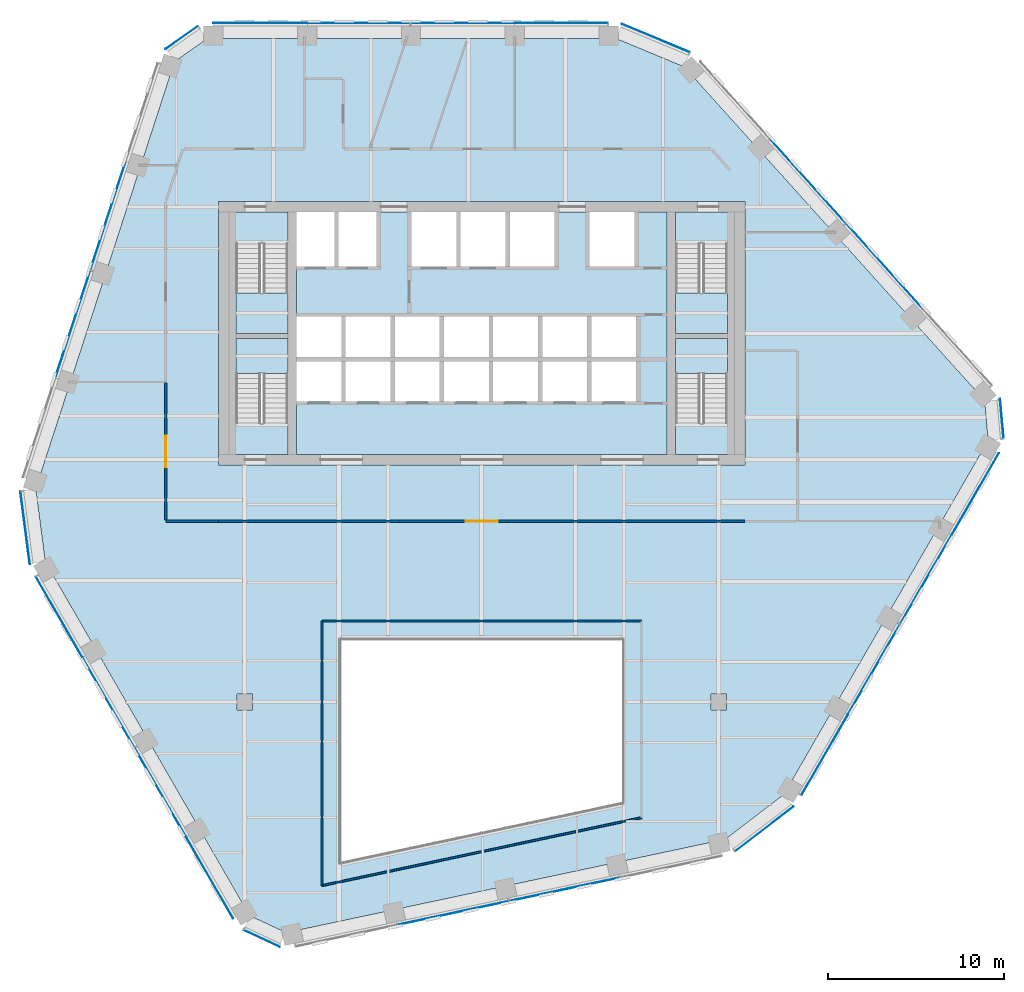
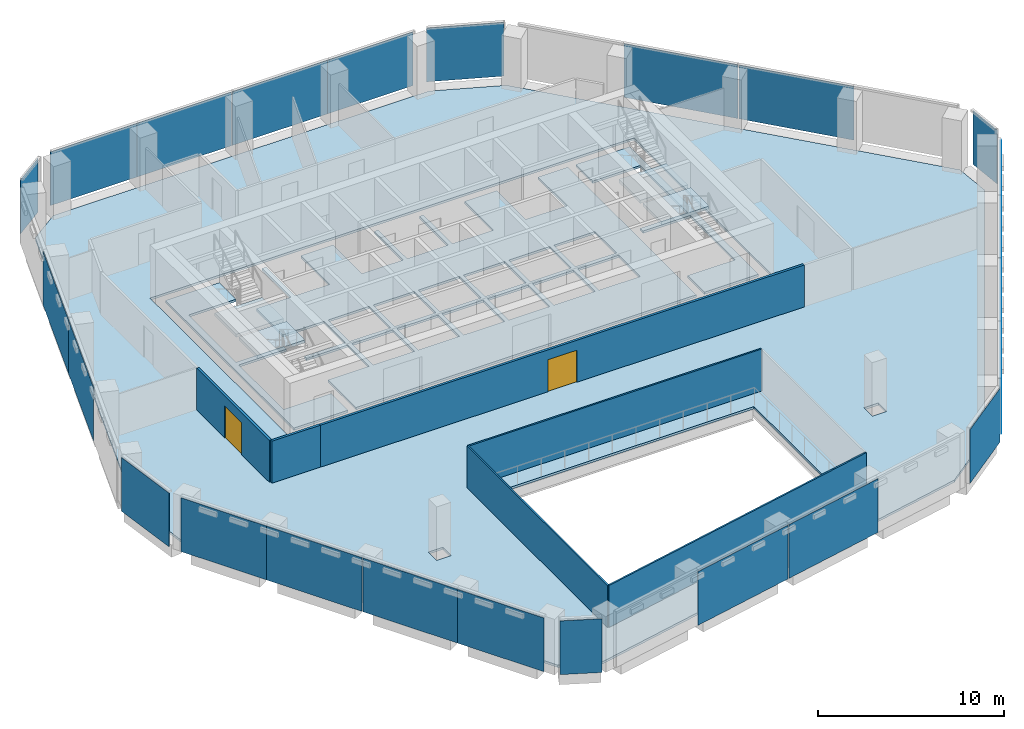
# One storey, part 8 of 16: 24 plates, 8 slabs, 6 walls, 2 doors, 2 openings, 16 elements without a shape of their own.
"""IFC4 building model written with IfcOpenShell, lengths in metres."""

from ifc_helpers import new_model, si_unit, direction, frame, frame_2d, origin, origin_2d, place, context, subcontext, project, spatial, polyline, rectangle, outline, extrude, material, layer, layer_set, type_object, element, fill, aggregate, save


model = new_model("IFC4")

# Units and contexts
model_context = context("Model", 3, precision=1e-05, world=origin(), true_north=direction((0.0, 1.0)))
body_context = subcontext(model_context, "Body", "Model", "MODEL_VIEW")
ifc_project = project(units=[si_unit("LENGTHUNIT", "METRE"), si_unit("AREAUNIT", "SQUARE_METRE"), si_unit("VOLUMEUNIT", "CUBIC_METRE"), si_unit("PLANEANGLEUNIT", "RADIAN"), si_unit("MASSUNIT", "GRAM", prefix="KILO")], contexts=[model_context])

# Site, building, storey
site_placement = place(None, origin())
site = spatial("IfcSite", under=ifc_project, at=site_placement, CompositionType="ELEMENT")
building_placement = place(site_placement, origin())
building = spatial("IfcBuilding", under=site, at=building_placement, Name="Isthmus Gate Tower", CompositionType="ELEMENT")
storey_placement = place(building_placement, frame((0.0, 0.0, 216.300048828125)))
storey = spatial("IfcBuildingStorey", under=building, at=storey_placement, Name="L54", CompositionType="ELEMENT", Elevation=216.300048828125)

# Slabs
ifc_material_1 = material(Name="Concrete f'c 40 MPa", Category="concrete")
ifc_layer_1 = layer(ifc_material_1, 0.14990234375)
ifc_layer_set_1 = layer_set([ifc_layer_1], Name="COMPOSITE FLOOR SLAB 150")
slab_type_1 = type_object("IfcSlabType", Name="COMPOSITE FLOOR SLAB 150", PredefinedType="FLOOR", material=ifc_layer_set_1)
slab_1_placement = place(storey_placement, frame((0.0, 0.0, -0.150146484375)))
element("IfcSlab", 1, at=slab_1_placement, inside=storey, type_object=slab_type_1, Name="str-slab-L54-1", PredefinedType="FLOOR", context=body_context, shape_type="SweptSolid", body=[
    extrude(outline(polyline([(11.539794921875, 22.68310546875), (28.65380859375, 3.67626953125), (28.859375, 1.3857421875), (17.21875, -18.7763671875), (13.874267578125, -21.335205078125), (-11.143310546875, -26.65283203125), (-13.2294921875, -25.685791015625), (-24.8701171875, -5.523681640625), (-25.4140625, -1.347900390625), (-17.510498046875, 22.976806640625), (-15.629638671875, 24.300048828125), (7.6513671875, 24.300048828125), (11.539794921875, 22.68310546875)]), holes=[polyline([(-8.0, -10.0), (-8.0, -22.611083984375), (8.0, -19.210205078125), (8.0, -10.0), (-8.0, -10.0)]), polyline([(-13.949951171875, -13.050048828125), (-13.949951171875, -13.949951171875), (-13.050048828125, -13.949951171875), (-13.050048828125, -13.050048828125), (-13.949951171875, -13.050048828125)]), polyline([(13.050048828125, -13.050048828125), (13.050048828125, -13.949951171875), (13.949951171875, -13.949951171875), (13.949951171875, -13.050048828125), (13.050048828125, -13.050048828125)]), polyline([(-15.0, 0.0), (15.0, 0.0), (15.0, 15.0), (-15.0, 15.0), (-15.0, 0.0)])]), origin(), (0.0, 0.0, 1.0), 0.150146484375),
])
ifc_material_2 = material(Name="Concrete f'c 40 MPa", Category="concrete")
ifc_layer_2 = layer(ifc_material_2, 0.14990234375)
ifc_layer_set_2 = layer_set([ifc_layer_2], Name="CORE FLOOR SLAB 150")
slab_type_2 = type_object("IfcSlabType", Name="CORE FLOOR SLAB 150", PredefinedType="FLOOR", material=ifc_layer_set_2)
slab_2_placement = place(storey_placement, frame((0.0, 0.0, -0.150146484375)))
element("IfcSlab", 2, at=slab_2_placement, inside=storey, type_object=slab_type_2, Name="L54 core floor", PredefinedType="FLOOR", context=body_context, shape_type="SweptSolid", body=[
    extrude(outline(polyline([(-11.050048828125, 0.60009765625), (-11.050048828125, 2.402099609375), (-14.0, 2.402099609375), (-14.0, 7.199951171875), (-11.050048828125, 7.199951171875), (-11.050048828125, 7.5), (-14.0, 7.5), (-14.0, 12.597900390625), (-11.050048828125, 12.597900390625), (-11.050048828125, 14.39990234375), (-14.39990234375, 14.39990234375), (-14.39990234375, 0.60009765625), (-11.050048828125, 0.60009765625)])), origin(), (0.0, 0.0, 1.0), 0.150146484375),
])
slab_3_placement = place(storey_placement, frame((0.0, 0.0, -0.150146484375)))
element("IfcSlab", 3, at=slab_3_placement, inside=storey, type_object=slab_type_2, Name="L54 core floor", PredefinedType="FLOOR", context=body_context, shape_type="SweptSolid", body=[
    extrude(outline(polyline([(10.550048828125, 14.39990234375), (8.699951171875, 14.39990234375), (8.699951171875, 11.300048828125), (6.14990234375, 11.300048828125), (6.14990234375, 14.39990234375), (4.14990234375, 14.39990234375), (4.14990234375, 11.300048828125), (1.60009765625, 11.300048828125), (1.60009765625, 14.39990234375), (1.35009765625, 14.39990234375), (1.35009765625, 11.300048828125), (-1.199951171875, 11.300048828125), (-1.199951171875, 14.39990234375), (-1.449951171875, 14.39990234375), (-1.449951171875, 11.300048828125), (-4.0, 11.300048828125), (-4.0, 14.39990234375), (-6.0, 14.39990234375), (-6.0, 11.300048828125), (-8.14990234375, 11.300048828125), (-8.14990234375, 14.39990234375), (-8.39990234375, 14.39990234375), (-8.39990234375, 11.300048828125), (-10.550048828125, 11.300048828125), (-10.550048828125, 8.449951171875), (-8.0, 8.449951171875), (-8.0, 6.14990234375), (-10.550048828125, 6.14990234375), (-10.550048828125, 5.89990234375), (-8.0, 5.89990234375), (-8.0, 3.60009765625), (-10.550048828125, 3.60009765625), (-10.550048828125, 0.60009765625), (10.550048828125, 0.60009765625), (10.550048828125, 14.39990234375)]), holes=[polyline([(-5.199951171875, 3.60009765625), (-7.75, 3.60009765625), (-7.75, 5.89990234375), (-5.199951171875, 5.89990234375), (-5.199951171875, 3.60009765625)]), polyline([(-2.39990234375, 3.60009765625), (-4.949951171875, 3.60009765625), (-4.949951171875, 5.89990234375), (-2.39990234375, 5.89990234375), (-2.39990234375, 3.60009765625)]), polyline([(-5.199951171875, 6.14990234375), (-7.75, 6.14990234375), (-7.75, 8.449951171875), (-5.199951171875, 8.449951171875), (-5.199951171875, 6.14990234375)]), polyline([(-2.39990234375, 8.449951171875), (-2.39990234375, 6.14990234375), (-4.949951171875, 6.14990234375), (-4.949951171875, 8.449951171875), (-2.39990234375, 8.449951171875)]), polyline([(0.39990234375, 6.14990234375), (-2.14990234375, 6.14990234375), (-2.14990234375, 8.449951171875), (0.39990234375, 8.449951171875), (0.39990234375, 6.14990234375)]), polyline([(0.39990234375, 5.89990234375), (0.39990234375, 3.60009765625), (-2.14990234375, 3.60009765625), (-2.14990234375, 5.89990234375), (0.39990234375, 5.89990234375)]), polyline([(3.199951171875, 3.60009765625), (0.64990234375, 3.60009765625), (0.64990234375, 5.89990234375), (3.199951171875, 5.89990234375), (3.199951171875, 3.60009765625)]), polyline([(6.0, 3.60009765625), (3.449951171875, 3.60009765625), (3.449951171875, 5.89990234375), (6.0, 5.89990234375), (6.0, 3.60009765625)]), polyline([(8.800048828125, 5.89990234375), (8.800048828125, 3.60009765625), (6.25, 3.60009765625), (6.25, 5.89990234375), (8.800048828125, 5.89990234375)]), polyline([(3.199951171875, 6.14990234375), (0.64990234375, 6.14990234375), (0.64990234375, 8.449951171875), (3.199951171875, 8.449951171875), (3.199951171875, 6.14990234375)]), polyline([(6.0, 8.449951171875), (6.0, 6.14990234375), (3.449951171875, 6.14990234375), (3.449951171875, 8.449951171875), (6.0, 8.449951171875)]), polyline([(8.800048828125, 6.14990234375), (6.25, 6.14990234375), (6.25, 8.449951171875), (8.800048828125, 8.449951171875), (8.800048828125, 6.14990234375)])]), origin(), (0.0, 0.0, 1.0), 0.150146484375),
])
slab_4_placement = place(storey_placement, frame((0.0, 0.0, -0.150146484375)))
element("IfcSlab", 4, at=slab_4_placement, inside=storey, type_object=slab_type_2, Name="L54 core floor", PredefinedType="FLOOR", context=body_context, shape_type="SweptSolid", body=[
    extrude(outline(polyline([(11.050048828125, 14.39990234375), (11.050048828125, 12.597900390625), (14.0, 12.597900390625), (14.0, 7.5), (11.050048828125, 7.5), (11.050048828125, 7.199951171875), (14.0, 7.199951171875), (14.0, 2.402099609375), (11.050048828125, 2.402099609375), (11.050048828125, 0.60009765625), (14.39990234375, 0.60009765625), (14.39990234375, 14.39990234375), (11.050048828125, 14.39990234375)])), origin(), (0.0, 0.0, 1.0), 0.150146484375),
])

# Curtain wall, plates
ifc_material_3 = material(Name="Aluminium, pale champagne anodised", Category="aluminium")
ifc_layer_3 = layer(ifc_material_3, 0.199951171875)
ifc_layer_set_3 = layer_set([ifc_layer_3], Name="CW-1 UNITISED CURTAIN WALL 200 DEEP")
curtain_wall_type = type_object("IfcCurtainWallType", Name="CW-1 UNITISED CURTAIN WALL 200 DEEP", PredefinedType="NOTDEFINED", material=ifc_layer_set_3)
curtain_wall_1_placement = place(storey_placement, origin())
curtain_wall_1 = element("IfcCurtainWall", 5, at=curtain_wall_1_placement, inside=storey, type_object=curtain_wall_type, Name="CW-1 N L54", PredefinedType="NOTDEFINED")
ifc_material_4 = material(Name="Laminated low-iron glass, pale blue tint", Category="glass")
ifc_layer_4 = layer(ifc_material_4, 0.031982421875)
ifc_layer_set_4 = layer_set([ifc_layer_4], Name="CW-1 CLEAR GLASS LITE 32")
plate_type = type_object("IfcPlateType", Name="CW-1 CLEAR GLASS LITE 32", PredefinedType="CURTAIN_PANEL", material=ifc_layer_set_4)
plate_1_placement = place(storey_placement, frame((4.53076171875, 25.18408203125, 0.0), z_axis=(0.0, 0.0, 1.0), x_axis=(-1.0, 0.0, 0.0)))
plate_1 = element("IfcPlate", 6, at=plate_1_placement, type_object=plate_type, Name="CW-1 glass lite", PredefinedType="CURTAIN_PANEL", context=body_context, shape_type="SweptSolid", body=[
    extrude(rectangle(XDim=5.300537109375, YDim=0.031982421875, at=origin_2d()), origin(), (0.0, 0.0, 1.0), 3.52001953125),
])
plate_2_placement = place(storey_placement, frame((-1.07470703125, 25.18408203125, 0.0), z_axis=(0.0, 0.0, 1.0), x_axis=(-1.0, 0.0, 0.0)))
plate_2 = element("IfcPlate", 7, at=plate_2_placement, type_object=plate_type, Name="CW-1 glass lite", PredefinedType="CURTAIN_PANEL", context=body_context, shape_type="SweptSolid", body=[
    extrude(rectangle(XDim=5.91064453125, YDim=0.031982421875, at=origin_2d()), origin(), (0.0, 0.0, 1.0), 3.52001953125),
])
plate_3_placement = place(storey_placement, frame((-7.015380859375, 25.18408203125, 0.0), z_axis=(0.0, 0.0, 1.0), x_axis=(-1.0, 0.0, 0.0)))
plate_3 = element("IfcPlate", 8, at=plate_3_placement, type_object=plate_type, Name="CW-1 glass lite", PredefinedType="CURTAIN_PANEL", context=body_context, shape_type="SweptSolid", body=[
    extrude(rectangle(XDim=5.8505859375, YDim=0.031982421875, at=origin_2d()), origin(), (0.0, 0.0, 1.0), 3.52001953125),
])
plate_4_placement = place(storey_placement, frame((-12.62109375, 25.18408203125, 0.0), z_axis=(0.0, 0.0, 1.0), x_axis=(-1.0, 0.0, 0.0)))
plate_4 = element("IfcPlate", 9, at=plate_4_placement, type_object=plate_type, Name="CW-1 glass lite", PredefinedType="CURTAIN_PANEL", context=body_context, shape_type="SweptSolid", body=[
    extrude(rectangle(XDim=5.360595703125, YDim=0.031982421875, at=origin_2d()), origin(), (0.0, 0.0, 1.0), 3.52001953125),
])
aggregate(curtain_wall_1, [plate_1, plate_2, plate_3, plate_4])

# Curtain wall, plate
curtain_wall_2_placement = place(storey_placement, origin())
curtain_wall_2 = element("IfcCurtainWall", 10, at=curtain_wall_2_placement, inside=storey, type_object=curtain_wall_type, Name="CW-1 N-NW L54", PredefinedType="NOTDEFINED")
plate_5_placement = place(storey_placement, frame((-17.1025390625, 24.3447265625, 0.0), z_axis=(0.0, 0.0, 1.0), x_axis=(-0.81785959165, -0.57541783805, 0.0)))
plate_5 = element("IfcPlate", 11, at=plate_5_placement, type_object=plate_type, Name="CW-1 glass lite", PredefinedType="CURTAIN_PANEL", context=body_context, shape_type="SweptSolid", body=[
    extrude(rectangle(XDim=2.258544921875, YDim=0.031982421875, at=origin_2d()), origin(), (0.0, 0.0, 1.0), 3.52001953125),
])
aggregate(curtain_wall_2, [plate_5])

# Curtain wall, plates
curtain_wall_3_placement = place(storey_placement, origin())
curtain_wall_3 = element("IfcCurtainWall", 12, at=curtain_wall_3_placement, inside=storey, type_object=curtain_wall_type, Name="CW-1 NW L54", PredefinedType="NOTDEFINED")
plate_6_placement = place(storey_placement, frame((-21.288330078125, 14.210693359375, 0.0), z_axis=(0.0, 0.0, 1.0), x_axis=(-0.309016994375, -0.951056516295, 0.0)))
plate_6 = element("IfcPlate", 13, at=plate_6_placement, type_object=plate_type, Name="CW-1 glass lite", PredefinedType="CURTAIN_PANEL", context=body_context, shape_type="SweptSolid", body=[
    extrude(rectangle(XDim=6.491943359375, YDim=0.031982421875, at=origin_2d()), origin(), (0.0, 0.0, 1.0), 3.52001953125),
])
plate_7_placement = place(storey_placement, frame((-23.3037109375, 8.0078125, 0.0), z_axis=(0.0, 0.0, 1.0), x_axis=(-0.309016994375, -0.951056516295, 0.0)))
plate_7 = element("IfcPlate", 14, at=plate_7_placement, type_object=plate_type, Name="CW-1 glass lite", PredefinedType="CURTAIN_PANEL", context=body_context, shape_type="SweptSolid", body=[
    extrude(rectangle(XDim=6.431884765625, YDim=0.031982421875, at=origin_2d()), origin(), (0.0, 0.0, 1.0), 3.52001953125),
])
aggregate(curtain_wall_3, [plate_6, plate_7])

# Curtain wall, plate
curtain_wall_4_placement = place(storey_placement, origin())
curtain_wall_4 = element("IfcCurtainWall", 15, at=curtain_wall_4_placement, inside=storey, type_object=curtain_wall_type, Name="CW-1 NW-SW L54", PredefinedType="NOTDEFINED")
plate_8_placement = place(storey_placement, frame((-26.014892578125, -3.57958984375, 0.0), z_axis=(0.0, 0.0, 1.0), x_axis=(0.129164534, -0.991623175988, 0.0)))
plate_8 = element("IfcPlate", 16, at=plate_8_placement, type_object=plate_type, Name="CW-1 glass lite", PredefinedType="CURTAIN_PANEL", context=body_context, shape_type="SweptSolid", body=[
    extrude(rectangle(XDim=4.181396484375, YDim=0.031982421875, at=origin_2d()), origin(), (0.0, 0.0, 1.0), 3.52001953125),
])
aggregate(curtain_wall_4, [plate_8])

# Curtain wall, plates
curtain_wall_5_placement = place(storey_placement, origin())
curtain_wall_5 = element("IfcCurtainWall", 17, at=curtain_wall_5_placement, inside=storey, type_object=curtain_wall_type, Name="CW-1 SW L54", PredefinedType="NOTDEFINED")
plate_9_placement = place(storey_placement, frame((-24.075439453125, -8.668212890625, 0.0), z_axis=(0.0, 0.0, 1.0), x_axis=(0.5, -0.866025403784, 0.0)))
plate_9 = element("IfcPlate", 18, at=plate_9_placement, type_object=plate_type, Name="CW-1 glass lite", PredefinedType="CURTAIN_PANEL", context=body_context, shape_type="SweptSolid", body=[
    extrude(rectangle(XDim=5.300537109375, YDim=0.031982421875, at=origin_2d()), origin(), (0.0, 0.0, 1.0), 3.52001953125),
])
plate_10_placement = place(storey_placement, frame((-21.272705078125, -13.522705078125, 0.0), z_axis=(0.0, 0.0, 1.0), x_axis=(0.5, -0.866025403784, 0.0)))
plate_10 = element("IfcPlate", 19, at=plate_10_placement, type_object=plate_type, Name="CW-1 glass lite", PredefinedType="CURTAIN_PANEL", context=body_context, shape_type="SweptSolid", body=[
    extrude(rectangle(XDim=5.91064453125, YDim=0.031982421875, at=origin_2d()), origin(), (0.0, 0.0, 1.0), 3.52001953125),
])
plate_11_placement = place(storey_placement, frame((-18.30224609375, -18.66748046875, 0.0), z_axis=(0.0, 0.0, 1.0), x_axis=(0.5, -0.866025403784, 0.0)))
plate_11 = element("IfcPlate", 20, at=plate_11_placement, type_object=plate_type, Name="CW-1 glass lite", PredefinedType="CURTAIN_PANEL", context=body_context, shape_type="SweptSolid", body=[
    extrude(rectangle(XDim=5.8505859375, YDim=0.031982421875, at=origin_2d()), origin(), (0.0, 0.0, 1.0), 3.52001953125),
])
plate_12_placement = place(storey_placement, frame((-15.49951171875, -23.52197265625, 0.0), z_axis=(0.0, 0.0, 1.0), x_axis=(0.5, -0.866025403784, 0.0)))
plate_12 = element("IfcPlate", 21, at=plate_12_placement, type_object=plate_type, Name="CW-1 glass lite", PredefinedType="CURTAIN_PANEL", context=body_context, shape_type="SweptSolid", body=[
    extrude(rectangle(XDim=5.360595703125, YDim=0.031982421875, at=origin_2d()), origin(), (0.0, 0.0, 1.0), 3.52001953125),
])
aggregate(curtain_wall_5, [plate_9, plate_10, plate_11, plate_12])

# Curtain wall, plate
curtain_wall_6_placement = place(storey_placement, origin())
curtain_wall_6 = element("IfcCurtainWall", 22, at=curtain_wall_6_placement, inside=storey, type_object=curtain_wall_type, Name="CW-1 SW-S L54", PredefinedType="NOTDEFINED")
plate_13_placement = place(storey_placement, frame((-12.531982421875, -26.9833984375, 0.0), z_axis=(0.0, 0.0, 1.0), x_axis=(0.907256261367, -0.420578264073, 0.0)))
plate_13 = element("IfcPlate", 23, at=plate_13_placement, type_object=plate_type, Name="CW-1 glass lite", PredefinedType="CURTAIN_PANEL", context=body_context, shape_type="SweptSolid", body=[
    extrude(rectangle(XDim=2.258544921875, YDim=0.031982421875, at=origin_2d()), origin(), (0.0, 0.0, 1.0), 3.52001953125),
])
aggregate(curtain_wall_6, [plate_13])

# Curtain wall, plates
curtain_wall_7_placement = place(storey_placement, origin())
curtain_wall_7 = element("IfcCurtainWall", 24, at=curtain_wall_7_placement, inside=storey, type_object=curtain_wall_type, Name="CW-1 S L54", PredefinedType="NOTDEFINED")
plate_14_placement = place(storey_placement, frame((-1.66259765625, -25.54150390625, 0.0), z_axis=(0.0, 0.0, 1.0), x_axis=(0.978147600734, 0.207911690818, 0.0)))
plate_14 = element("IfcPlate", 25, at=plate_14_placement, type_object=plate_type, Name="CW-1 glass lite", PredefinedType="CURTAIN_PANEL", context=body_context, shape_type="SweptSolid", body=[
    extrude(rectangle(XDim=6.491943359375, YDim=0.031982421875, at=origin_2d()), origin(), (0.0, 0.0, 1.0), 3.52001953125),
])
plate_15_placement = place(storey_placement, frame((4.716796875, -24.185546875, 0.0), z_axis=(0.0, 0.0, 1.0), x_axis=(0.978147600734, 0.207911690818, 0.0)))
plate_15 = element("IfcPlate", 26, at=plate_15_placement, type_object=plate_type, Name="CW-1 glass lite", PredefinedType="CURTAIN_PANEL", context=body_context, shape_type="SweptSolid", body=[
    extrude(rectangle(XDim=6.431884765625, YDim=0.031982421875, at=origin_2d()), origin(), (0.0, 0.0, 1.0), 3.52001953125),
])
aggregate(curtain_wall_7, [plate_14, plate_15])

# Curtain wall, plate
curtain_wall_8_placement = place(storey_placement, origin())
curtain_wall_8 = element("IfcCurtainWall", 27, at=curtain_wall_8_placement, inside=storey, type_object=curtain_wall_type, Name="CW-1 S-SE L54", PredefinedType="NOTDEFINED")
plate_16_placement = place(storey_placement, frame((16.107421875, -20.73974609375, 0.0), z_axis=(0.0, 0.0, 1.0), x_axis=(0.794188594387, 0.607671355706, 0.0)))
plate_16 = element("IfcPlate", 28, at=plate_16_placement, type_object=plate_type, Name="CW-1 glass lite", PredefinedType="CURTAIN_PANEL", context=body_context, shape_type="SweptSolid", body=[
    extrude(rectangle(XDim=4.181396484375, YDim=0.031982421875, at=origin_2d()), origin(), (0.0, 0.0, 1.0), 3.52001953125),
])
aggregate(curtain_wall_8, [plate_16])

# Curtain wall, plates
curtain_wall_9_placement = place(storey_placement, origin())
curtain_wall_9 = element("IfcCurtainWall", 29, at=curtain_wall_9_placement, inside=storey, type_object=curtain_wall_type, Name="CW-1 SE L54", PredefinedType="NOTDEFINED")
plate_17_placement = place(storey_placement, frame((19.544677734375, -16.515869140625, 0.0), z_axis=(0.0, 0.0, 1.0), x_axis=(0.5, 0.866025403784, 0.0)))
plate_17 = element("IfcPlate", 30, at=plate_17_placement, type_object=plate_type, Name="CW-1 glass lite", PredefinedType="CURTAIN_PANEL", context=body_context, shape_type="SweptSolid", body=[
    extrude(rectangle(XDim=5.300537109375, YDim=0.031982421875, at=origin_2d()), origin(), (0.0, 0.0, 1.0), 3.52001953125),
])
plate_18_placement = place(storey_placement, frame((22.347412109375, -11.6611328125, 0.0), z_axis=(0.0, 0.0, 1.0), x_axis=(0.5, 0.866025403784, 0.0)))
plate_18 = element("IfcPlate", 31, at=plate_18_placement, type_object=plate_type, Name="CW-1 glass lite", PredefinedType="CURTAIN_PANEL", context=body_context, shape_type="SweptSolid", body=[
    extrude(rectangle(XDim=5.91064453125, YDim=0.031982421875, at=origin_2d()), origin(), (0.0, 0.0, 1.0), 3.52001953125),
])
plate_19_placement = place(storey_placement, frame((25.317626953125, -6.5166015625, 0.0), z_axis=(0.0, 0.0, 1.0), x_axis=(0.5, 0.866025403784, 0.0)))
plate_19 = element("IfcPlate", 32, at=plate_19_placement, type_object=plate_type, Name="CW-1 glass lite", PredefinedType="CURTAIN_PANEL", context=body_context, shape_type="SweptSolid", body=[
    extrude(rectangle(XDim=5.8505859375, YDim=0.031982421875, at=origin_2d()), origin(), (0.0, 0.0, 1.0), 3.52001953125),
])
plate_20_placement = place(storey_placement, frame((28.120361328125, -1.661865234375, 0.0), z_axis=(0.0, 0.0, 1.0), x_axis=(0.5, 0.866025403784, 0.0)))
plate_20 = element("IfcPlate", 33, at=plate_20_placement, type_object=plate_type, Name="CW-1 glass lite", PredefinedType="CURTAIN_PANEL", context=body_context, shape_type="SweptSolid", body=[
    extrude(rectangle(XDim=5.360595703125, YDim=0.031982421875, at=origin_2d()), origin(), (0.0, 0.0, 1.0), 3.52001953125),
])
aggregate(curtain_wall_9, [plate_17, plate_18, plate_19, plate_20])

# Curtain wall, plate
curtain_wall_10_placement = place(storey_placement, origin())
curtain_wall_10 = element("IfcCurtainWall", 34, at=curtain_wall_10_placement, inside=storey, type_object=curtain_wall_type, Name="CW-1 SE-NE L54", PredefinedType="NOTDEFINED")
plate_21_placement = place(storey_placement, frame((29.63427734375, 2.638671875, 0.0), z_axis=(0.0, 0.0, 1.0), x_axis=(-0.089396669717, 0.995996102123, 0.0)))
plate_21 = element("IfcPlate", 35, at=plate_21_placement, type_object=plate_type, Name="CW-1 glass lite", PredefinedType="CURTAIN_PANEL", context=body_context, shape_type="SweptSolid", body=[
    extrude(rectangle(XDim=2.258544921875, YDim=0.031982421875, at=origin_2d()), origin(), (0.0, 0.0, 1.0), 3.52001953125),
])
aggregate(curtain_wall_10, [plate_21])

# Curtain wall, plates
curtain_wall_11_placement = place(storey_placement, origin())
curtain_wall_11 = element("IfcCurtainWall", 36, at=curtain_wall_11_placement, inside=storey, type_object=curtain_wall_type, Name="CW-1 NE L54", PredefinedType="NOTDEFINED")
plate_22_placement = place(storey_placement, frame((22.950927734375, 11.330810546875, 0.0), z_axis=(0.0, 0.0, 1.0), x_axis=(-0.669130606359, 0.743144825477, 0.0)))
plate_22 = element("IfcPlate", 37, at=plate_22_placement, type_object=plate_type, Name="CW-1 glass lite", PredefinedType="CURTAIN_PANEL", context=body_context, shape_type="SweptSolid", body=[
    extrude(rectangle(XDim=6.491943359375, YDim=0.031982421875, at=origin_2d()), origin(), (0.0, 0.0, 1.0), 3.52001953125),
])
plate_23_placement = place(storey_placement, frame((18.5869140625, 16.177734375, 0.0), z_axis=(0.0, 0.0, 1.0), x_axis=(-0.669130606359, 0.743144825477, 0.0)))
plate_23 = element("IfcPlate", 38, at=plate_23_placement, type_object=plate_type, Name="CW-1 glass lite", PredefinedType="CURTAIN_PANEL", context=body_context, shape_type="SweptSolid", body=[
    extrude(rectangle(XDim=6.431884765625, YDim=0.031982421875, at=origin_2d()), origin(), (0.0, 0.0, 1.0), 3.52001953125),
])
aggregate(curtain_wall_11, [plate_22, plate_23])

# Curtain wall, plate
curtain_wall_12_placement = place(storey_placement, origin())
curtain_wall_12 = element("IfcCurtainWall", 39, at=curtain_wall_12_placement, inside=storey, type_object=curtain_wall_type, Name="CW-1 NE-N L54", PredefinedType="NOTDEFINED")
plate_24_placement = place(storey_placement, frame((9.907470703125, 24.3193359375, 0.0), z_axis=(0.0, 0.0, 1.0), x_axis=(-0.923353128387, 0.383951820282, 0.0)))
plate_24 = element("IfcPlate", 40, at=plate_24_placement, type_object=plate_type, Name="CW-1 glass lite", PredefinedType="CURTAIN_PANEL", context=body_context, shape_type="SweptSolid", body=[
    extrude(rectangle(XDim=4.181396484375, YDim=0.031982421875, at=origin_2d()), origin(), (0.0, 0.0, 1.0), 3.52001953125),
])
aggregate(curtain_wall_12, [plate_24])

# Stair, slab
ifc_material_5 = material(Name="Concrete f'c 40 MPa", Category="concrete")
stair_type = type_object("IfcStairType", Name="CORE STAIR 22 RISERS", PredefinedType="HALF_TURN_STAIR", material=ifc_material_5)
stair_1_placement = place(storey_placement, origin())
stair_1 = element("IfcStair", 41, at=stair_1_placement, inside=storey, type_object=stair_type, Name="L54 Exit Stair 1", PredefinedType="HALF_TURN_STAIR")
ifc_material_6 = material(Name="Concrete f'c 40 MPa", Category="concrete")
ifc_layer_5 = layer(ifc_material_6, 0.199951171875)
ifc_layer_set_5 = layer_set([ifc_layer_5])
slab_type_3 = type_object("IfcSlabType", Name="STAIR LANDING RC 200", PredefinedType="LANDING", material=ifc_layer_set_5)
slab_5_placement = place(storey_placement, frame((0.0, 0.0, 1.625)))
slab_5 = element("IfcSlab", 42, at=slab_5_placement, type_object=slab_type_3, Name="ST1 landing 1", PredefinedType="LANDING", context=body_context, shape_type="SweptSolid", body=[
    extrude(outline(polyline([(-14.0, 9.800048828125), (-14.0, 7.5), (-11.050048828125, 7.5), (-11.050048828125, 9.800048828125), (-14.0, 9.800048828125)])), origin(), (0.0, 0.0, 1.0), 0.199951171875),
])
aggregate(stair_1, [slab_5])

stair_2_placement = place(storey_placement, origin())
stair_2 = element("IfcStair", 43, at=stair_2_placement, inside=storey, type_object=stair_type, Name="L54 Exit Stair 2", PredefinedType="HALF_TURN_STAIR")
slab_6_placement = place(storey_placement, frame((0.0, 0.0, 1.625)))
slab_6 = element("IfcSlab", 44, at=slab_6_placement, type_object=slab_type_3, Name="ST2 landing 1", PredefinedType="LANDING", context=body_context, shape_type="SweptSolid", body=[
    extrude(outline(polyline([(11.050048828125, 9.800048828125), (11.050048828125, 7.5), (14.0, 7.5), (14.0, 9.800048828125), (11.050048828125, 9.800048828125)])), origin(), (0.0, 0.0, 1.0), 0.199951171875),
])
aggregate(stair_2, [slab_6])

stair_3_placement = place(storey_placement, origin())
stair_3 = element("IfcStair", 45, at=stair_3_placement, inside=storey, type_object=stair_type, Name="L54 Exit Stair 7", PredefinedType="HALF_TURN_STAIR")
slab_7_placement = place(storey_placement, frame((0.0, 0.0, 1.625)))
slab_7 = element("IfcSlab", 46, at=slab_7_placement, type_object=slab_type_3, Name="ST7 landing 1", PredefinedType="LANDING", context=body_context, shape_type="SweptSolid", body=[
    extrude(outline(polyline([(-11.050048828125, 5.199951171875), (-11.050048828125, 7.199951171875), (-14.0, 7.199951171875), (-14.0, 5.199951171875), (-11.050048828125, 5.199951171875)])), origin(), (0.0, 0.0, 1.0), 0.199951171875),
])
aggregate(stair_3, [slab_7])

stair_4_placement = place(storey_placement, origin())
stair_4 = element("IfcStair", 47, at=stair_4_placement, inside=storey, type_object=stair_type, Name="L54 Exit Stair 8", PredefinedType="HALF_TURN_STAIR")
slab_8_placement = place(storey_placement, frame((0.0, 0.0, 1.625)))
slab_8 = element("IfcSlab", 48, at=slab_8_placement, type_object=slab_type_3, Name="ST8 landing 1", PredefinedType="LANDING", context=body_context, shape_type="SweptSolid", body=[
    extrude(outline(polyline([(14.0, 5.199951171875), (14.0, 7.199951171875), (11.050048828125, 7.199951171875), (11.050048828125, 5.199951171875), (14.0, 5.199951171875)])), origin(), (0.0, 0.0, 1.0), 0.199951171875),
])
aggregate(stair_4, [slab_8])

# Walls
ifc_material_7 = material(Name="Fire-rated laminated glass in steel frame", Category="steel")
ifc_layer_6 = layer(ifc_material_7, 0.10009765625)
ifc_layer_set_6 = layer_set([ifc_layer_6], Name="ATRIUM SCREEN GLAZED WALL 100 120 MIN")
wall_type_1 = type_object("IfcWallType", Name="ATRIUM SCREEN GLAZED WALL 100 120 MIN", PredefinedType="PARTITIONING", material=ifc_layer_set_6)
wall_1_placement = place(storey_placement, frame((-9.10009765625, -8.89990234375, 0.0), z_axis=(0.0, 0.0, 1.0), x_axis=(1.0, 0.0, 0.0)))
element("IfcWall", 49, at=wall_1_placement, inside=storey, type_object=wall_type_1, Name="L54 atrium screen", PredefinedType="PARTITIONING", context=body_context, shape_type="SweptSolid", body=[
    extrude(rectangle(XDim=18.2001953125, YDim=0.10009765625, at=frame_2d((9.10009765625, 0.0))), origin(), (0.0, 0.0, 1.0), 2.750732421875),
])
wall_2_placement = place(storey_placement, frame((9.10009765625, -20.100830078125, 0.0), z_axis=(0.0, 0.0, 1.0), x_axis=(-0.978146710971, -0.207915876778, 0.0)))
element("IfcWall", 50, at=wall_2_placement, inside=storey, type_object=wall_type_1, Name="L54 atrium screen", PredefinedType="PARTITIONING", context=body_context, shape_type="SweptSolid", body=[
    extrude(rectangle(XDim=18.60693359375, YDim=0.10009765625, at=frame_2d((9.303466796875, 0.0))), origin(), (0.0, 0.0, 1.0), 2.750732421875),
])
wall_3_placement = place(storey_placement, frame((-9.10009765625, -23.969482421875, 0.0), z_axis=(0.0, 0.0, 1.0), x_axis=(0.0, 1.0, 0.0)))
element("IfcWall", 51, at=wall_3_placement, inside=storey, type_object=wall_type_1, Name="L54 atrium screen", PredefinedType="PARTITIONING", context=body_context, shape_type="SweptSolid", body=[
    extrude(rectangle(XDim=15.069580078125, YDim=0.10009765625, at=frame_2d((7.53466796875, 0.0))), origin(), (0.0, 0.0, 1.0), 2.750732421875),
])

# Wall, opening, door
ifc_material_8 = material(Name="Gypsum board on steel studs, fire-rated", Category="steel")
ifc_layer_7 = layer(ifc_material_8, 0.14990234375)
ifc_layer_set_7 = layer_set([ifc_layer_7], Name="CORRIDOR WALL 150 60 MIN")
wall_type_2 = type_object("IfcWallType", Name="CORRIDOR WALL 150 60 MIN", PredefinedType="PARTITIONING", material=ifc_layer_set_7)
wall_4_placement = place(storey_placement, frame((15.0, -3.199951171875, 0.0), z_axis=(0.0, 0.0, 1.0), x_axis=(-1.0, 0.0, 0.0)))
wall_4 = element("IfcWall", 52, at=wall_4_placement, inside=storey, type_object=wall_type_2, Name="L54 Corridor Wall 150 60 Min", PredefinedType="PARTITIONING", context=body_context, shape_type="SweptSolid", body=[
    extrude(rectangle(XDim=30.0, YDim=0.14990234375, at=frame_2d((15.0, 0.0))), origin(), (0.0, 0.0, 1.0), 2.750732421875),
])
opening_1_placement = place(wall_4_placement, frame((14.10009765625, 0.0, 0.0)))
opening_1 = element("IfcOpeningElement", 53, at=opening_1_placement, cuts=wall_4, Name="Opening DT-T5A-05", PredefinedType="OPENING", context=body_context, shape_type="SweptSolid", body=[
    extrude(rectangle(XDim=1.800048828125, YDim=2.10009765625, at=frame_2d((0.89990234375, 1.050048828125))), frame((0.0, 0.0849609375, 0.0), z_axis=(0.0, -1.0, 0.0), x_axis=(1.0, 0.0, 0.0)), (0.0, 0.0, 1.0), 0.169921875),
])
ifc_material_9 = material(Name="Solid core timber door leaf, fire-rated", Category="wood")
door_type = type_object("IfcDoorType", Name="FIRE DOOR ROOM 1800 X 2100 60 MIN", OperationType="DOUBLE_DOOR_DOUBLE_SWING", PredefinedType="DOOR", material=ifc_material_9)
door_1_placement = place(opening_1_placement, origin())
door_1 = element("IfcDoor", 54, at=door_1_placement, inside=storey, type_object=door_type, Name="L54 room door", OperationType="DOUBLE_DOOR_DOUBLE_SWING", OverallHeight=2.10009765625, OverallWidth=1.800048828125, PredefinedType="DOOR", context=body_context, shape_type="SweptSolid", body=[
    extrude(rectangle(XDim=1.800048828125, YDim=2.10009765625, at=frame_2d((0.89990234375, 1.050048828125))), frame((0.0, 0.02490234375, 0.0), z_axis=(0.0, -1.0, 0.0), x_axis=(1.0, 0.0, 0.0)), (0.0, 0.0, 1.0), 0.050048828125),
])
fill(opening_1, door_1)

# Wall
wall_5_placement = place(storey_placement, frame((-15.0, -3.199951171875, 0.0), z_axis=(0.0, 0.0, 1.0), x_axis=(-1.0, 0.0, 0.0)))
element("IfcWall", 55, at=wall_5_placement, inside=storey, type_object=wall_type_2, Name="L54 Corridor Wall 150 60 Min", PredefinedType="PARTITIONING", context=body_context, shape_type="SweptSolid", body=[
    extrude(rectangle(XDim=3.0, YDim=0.14990234375, at=frame_2d((1.5, 0.0))), origin(), (0.0, 0.0, 1.0), 2.750732421875),
])

# Wall, opening, door
wall_6_placement = place(storey_placement, frame((-18.0, -3.125, 0.0), z_axis=(0.0, 0.0, 1.0), x_axis=(0.0, 1.0, 0.0)))
wall_6 = element("IfcWall", 56, at=wall_6_placement, inside=storey, type_object=wall_type_2, Name="L54 Corridor Wall 150 60 Min", PredefinedType="PARTITIONING", context=body_context, shape_type="SweptSolid", body=[
    extrude(rectangle(XDim=7.798095703125, YDim=0.14990234375, at=frame_2d((3.89892578125, 0.0))), origin(), (0.0, 0.0, 1.0), 2.750732421875),
])
opening_2_placement = place(wall_6_placement, frame((2.9990234375, 0.0, 0.0)))
opening_2 = element("IfcOpeningElement", 57, at=opening_2_placement, cuts=wall_6, Name="Opening DT-T5A-06", PredefinedType="OPENING", context=body_context, shape_type="SweptSolid", body=[
    extrude(rectangle(XDim=1.800048828125, YDim=2.10009765625, at=frame_2d((0.89990234375, 1.050048828125))), frame((0.0, 0.0849609375, 0.0), z_axis=(0.0, -1.0, 0.0), x_axis=(1.0, 0.0, 0.0)), (0.0, 0.0, 1.0), 0.169921875),
])
door_2_placement = place(opening_2_placement, origin())
door_2 = element("IfcDoor", 58, at=door_2_placement, inside=storey, type_object=door_type, Name="L54 room door", OperationType="DOUBLE_DOOR_DOUBLE_SWING", OverallHeight=2.10009765625, OverallWidth=1.800048828125, PredefinedType="DOOR", context=body_context, shape_type="SweptSolid", body=[
    extrude(rectangle(XDim=1.800048828125, YDim=2.10009765625, at=frame_2d((0.89990234375, 1.050048828125))), frame((0.0, 0.02490234375, 0.0), z_axis=(0.0, -1.0, 0.0), x_axis=(1.0, 0.0, 0.0)), (0.0, 0.0, 1.0), 0.050048828125),
])
fill(opening_2, door_2)

save(model, "model.ifc")
